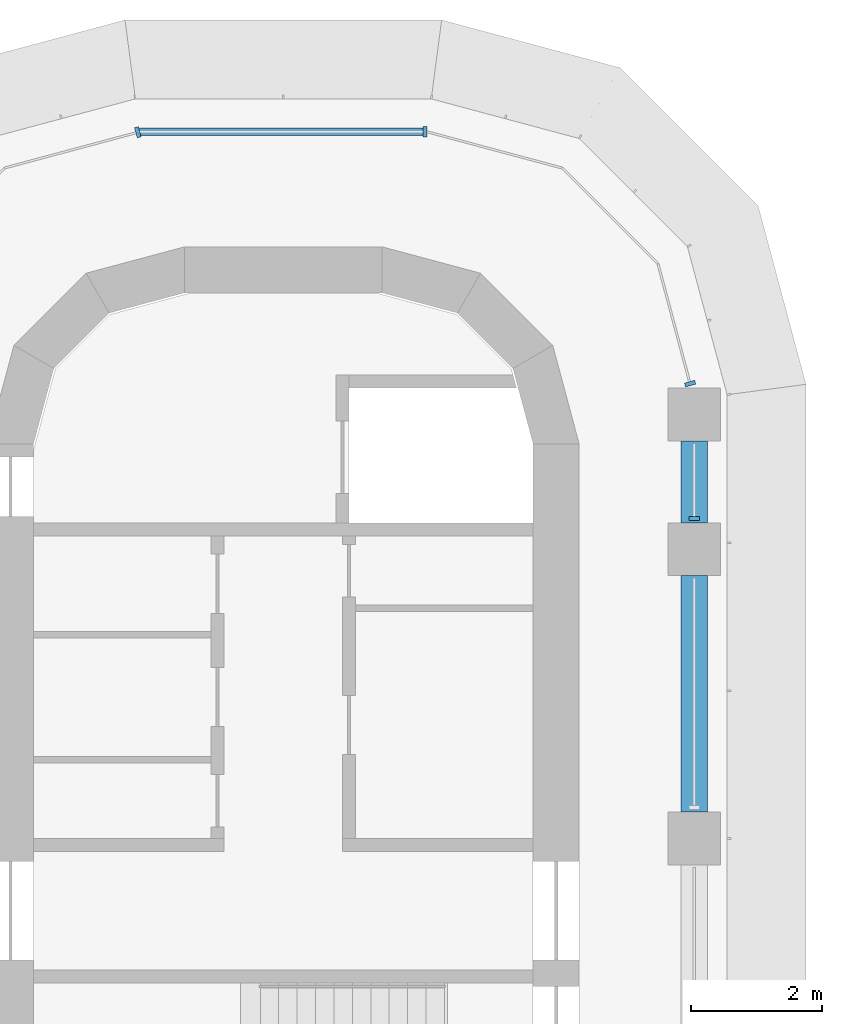
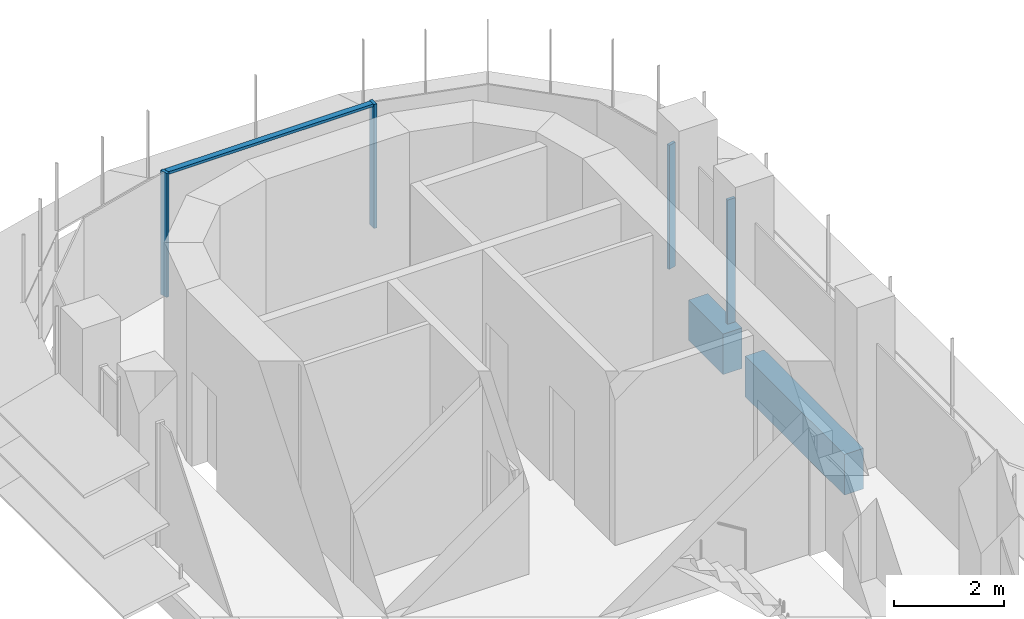
# One storey, part 9 of 20: 5 members, 2 beams, 4 elements without a shape of their own.
"""IFC4 building model written with IfcOpenShell, lengths in metres."""

from ifc_helpers import new_model, si_unit, direction, frame, origin, origin_2d, place, context, subcontext, project, spatial, polyline, rectangle, outline, extrude, source, transform, mapped, material, material_profile, profile_set, type_object, element, aggregate, save


model = new_model("IFC4")

# Units and contexts
model_context = context("Model", 3, precision=1e-05, world=origin(), true_north=direction((0.0, 1.0)))
body_context = subcontext(model_context, "Body", "Model", "MODEL_VIEW")
ifc_project = project(units=[si_unit("LENGTHUNIT", "METRE"), si_unit("AREAUNIT", "SQUARE_METRE"), si_unit("VOLUMEUNIT", "CUBIC_METRE"), si_unit("PLANEANGLEUNIT", "RADIAN"), si_unit("MASSUNIT", "GRAM", prefix="KILO")], contexts=[model_context])

# Site, building, storey
site_placement = place(None, origin())
site = spatial("IfcSite", under=ifc_project, at=site_placement, CompositionType="ELEMENT")
building_placement = place(site_placement, origin())
building = spatial("IfcBuilding", under=site, at=building_placement, Name="Zarbagh Exchange Tower", CompositionType="ELEMENT")
storey_placement = place(building_placement, frame((0.0, 0.0, 163.800048828125)))
storey = spatial("IfcBuildingStorey", under=building, at=storey_placement, Name="L39", CompositionType="ELEMENT", Elevation=163.800048828125)

# Beams
ifc_material_1 = material(Name="Concrete C50/60", Category="concrete")
ifc_material_profile = material_profile(ifc_material_1, rectangle(XDim=0.39990234375, YDim=0.89990234375, at=origin_2d()), Name="RC spandrel beam 400 x 900 C50/60")
ifc_profile_set = profile_set([ifc_material_profile], Name="Concrete C50/60")
beam_type = type_object("IfcBeamType", Name="RC spandrel beam 400 x 900 C50/60", PredefinedType="SPANDREL", material=ifc_profile_set)
beam_1_placement = place(storey_placement, frame((6.25, 26.300048828125, -0.60009765625), z_axis=(0.0, -1.0, 0.0), x_axis=(1.0, 0.0, 0.0)))
element("IfcBeam", 1, at=beam_1_placement, inside=storey, type_object=beam_type, Name="RC spandrel beam", PredefinedType="SPANDREL", context=body_context, shape_type="SweptSolid", body=[
    extrude(rectangle(XDim=0.39990234375, YDim=0.89990234375, at=origin_2d()), origin(), (0.0, 0.0, 1.0), 1.25),
])
beam_2_placement = place(storey_placement, frame((6.25, 24.25, -0.60009765625), z_axis=(0.0, -1.0, 0.0), x_axis=(1.0, 0.0, 0.0)))
element("IfcBeam", 2, at=beam_2_placement, inside=storey, type_object=beam_type, Name="RC spandrel beam", PredefinedType="SPANDREL", context=body_context, shape_type="SweptSolid", body=[
    extrude(rectangle(XDim=0.39990234375, YDim=0.89990234375, at=origin_2d()), origin(), (0.0, 0.0, 1.0), 3.60009765625),
])

# Curtain wall, member
ifc_material_2 = material(Name="Anodised aluminium frame and glazing", Category="aluminium")
curtain_wall_type = type_object("IfcCurtainWallType", Name="CWB Ribbon glazing, upper zones", PredefinedType="NOTDEFINED", material=ifc_material_2)
curtain_wall_1_placement = place(storey_placement, origin())
curtain_wall_1 = element("IfcCurtainWall", 3, at=curtain_wall_1_placement, inside=storey, type_object=curtain_wall_type, Name="CWB20 curtain wall", PredefinedType="NOTDEFINED")
ifc_material_3 = material(Name="Anodised aluminium frame", Category="aluminium")
member_type_1 = type_object("IfcMemberType", Name="MUB Mullion, anodised aluminium frame", PredefinedType="MULLION", material=ifc_material_3)
shared_shape_1 = source(origin(), body_context, "Body", "SweptSolid", [
    extrude(outline(polyline([(0.0, -0.080078125), (0.06005859375, -0.080078125), (0.06005859375, 0.080078125), (0.0, 0.080078125), (0.0, -0.080078125)])), origin(), (0.0, 0.0, 1.0), 2.75),
])
placement = place(storey_placement, origin())
member_1 = element("IfcMember", 4, at=placement, type_object=member_type_1, Name="CWB20 mullion 4.1", PredefinedType="MULLION", context=body_context, shape_type="MappedRepresentation", body=[
    mapped(shared_shape_1, transform((6.25, 25.090087890625, 0.0), x_axis=(0.0, 1.0, 0.0), y_axis=(-1.0, 0.0, 0.0), z_axis=(0.0, 0.0, 1.0))),
])
aggregate(curtain_wall_1, [member_1])

curtain_wall_2_placement = place(storey_placement, origin())
curtain_wall_2 = element("IfcCurtainWall", 5, at=curtain_wall_2_placement, inside=storey, type_object=curtain_wall_type, Name="CWB21 curtain wall", PredefinedType="NOTDEFINED")
member_2 = element("IfcMember", 6, at=placement, type_object=member_type_1, Name="CWB21 mullion 1.1", PredefinedType="MULLION", context=body_context, shape_type="MappedRepresentation", body=[
    mapped(shared_shape_1, transform((6.19482421875, 27.139892578125, 0.0), x_axis=(-0.258824779902, 0.965924289636, 0.0), y_axis=(-0.965924289636, -0.258824779902, 0.0), z_axis=(0.0, 0.0, 1.0))),
])
aggregate(curtain_wall_2, [member_2])

curtain_wall_3_placement = place(storey_placement, origin())
curtain_wall_3 = element("IfcCurtainWall", 7, at=curtain_wall_3_placement, inside=storey, type_object=curtain_wall_type, Name="CWB24 curtain wall", PredefinedType="NOTDEFINED")
member_3 = element("IfcMember", 8, at=placement, type_object=member_type_1, Name="CWB24 mullion 1.1", PredefinedType="MULLION", context=body_context, shape_type="MappedRepresentation", body=[
    mapped(shared_shape_1, transform((2.18408203125, 31.0, 0.0), x_axis=(-1.0, 0.0, 0.0), y_axis=(0.0, -1.0, 0.0), z_axis=(0.0, 0.0, 1.0))),
])

curtain_wall_4_placement = place(storey_placement, origin())
curtain_wall_4 = element("IfcCurtainWall", 9, at=curtain_wall_4_placement, inside=storey, type_object=curtain_wall_type, Name="CWB25 curtain wall", PredefinedType="NOTDEFINED")
member_4 = element("IfcMember", 10, at=placement, type_object=member_type_1, Name="CWB25 mullion 1.1", PredefinedType="MULLION", context=body_context, shape_type="MappedRepresentation", body=[
    mapped(shared_shape_1, transform((-2.18408203125, 31.0, 0.0), x_axis=(-0.965924289636, -0.258824779902, 0.0), y_axis=(0.258824779902, -0.965924289636, 0.0), z_axis=(0.0, 0.0, 1.0))),
])
aggregate(curtain_wall_4, [member_4])

# Member
member_type_2 = type_object("IfcMemberType", Name="TRB Transom, anodised aluminium frame", PredefinedType="USERDEFINED", material=ifc_material_3)
shared_shape_2 = source(origin(), body_context, "Body", "SweptSolid", [
    extrude(outline(polyline([(-0.06005859375, -0.06005859375), (0.0, -0.06005859375), (0.0, 0.06005859375), (-0.06005859375, 0.06005859375), (-0.06005859375, -0.06005859375)])), origin(), (0.0, 0.0, 1.0), 4.308349609375),
])
member_5 = element("IfcMember", 11, at=placement, type_object=member_type_2, Name="CWB24 transom 1.1", ObjectType="TRANSOM", PredefinedType="USERDEFINED", context=body_context, shape_type="MappedRepresentation", body=[
    mapped(shared_shape_2, transform((2.124267578125, 31.0, 2.75), x_axis=(0.0, 0.0, 1.0), y_axis=(0.0, 1.0, 0.0), z_axis=(-1.0, 0.0, 0.0))),
])

aggregate(curtain_wall_3, [member_3, member_5])

save(model, "model.ifc")
